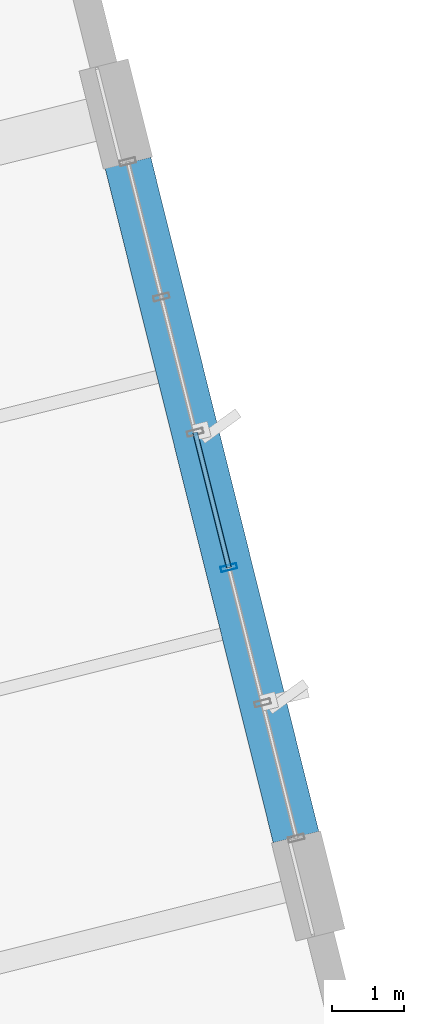
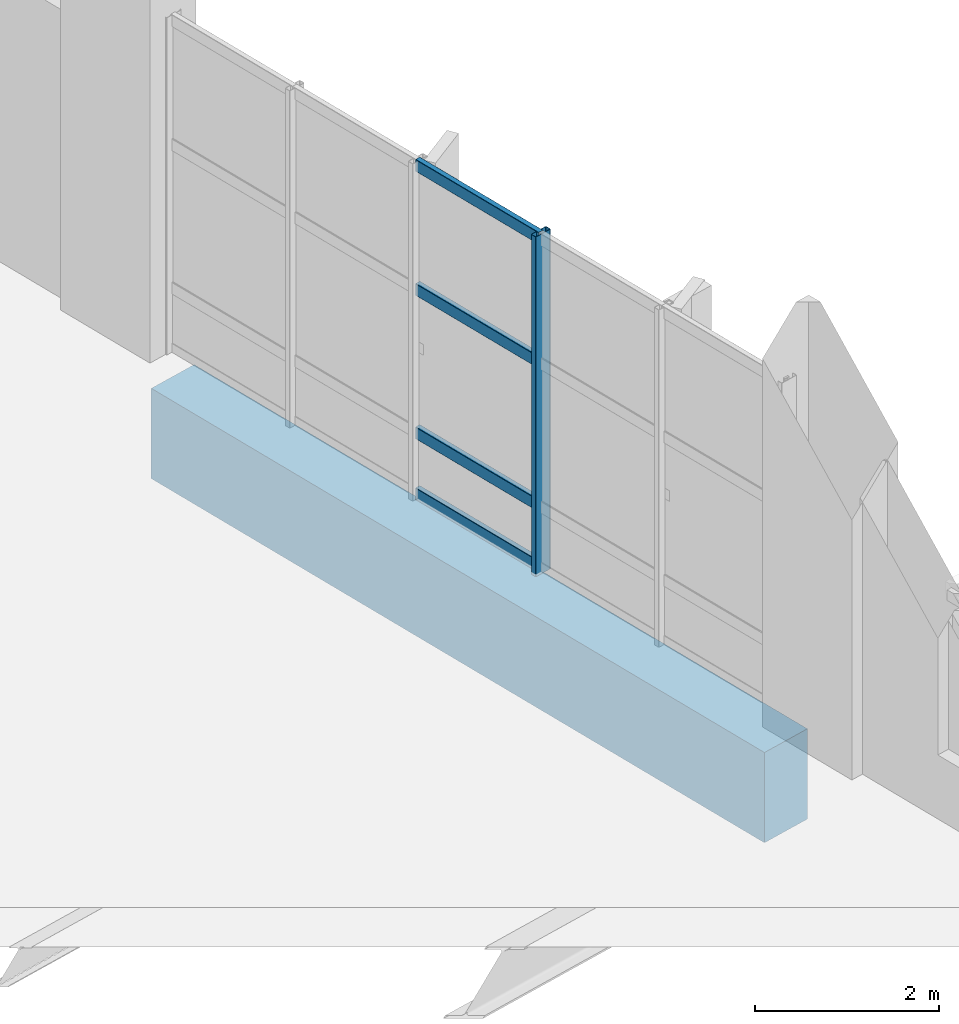
# One storey, part 100 of 176: 5 members, 1 beam, 1 element without a shape of its own.
"""IFC4 building model written with IfcOpenShell, lengths in metres."""

from ifc_helpers import new_model, si_unit, direction, frame, origin, origin_2d, place, context, subcontext, project, spatial, rectangle, hollow_rectangle, extrude, material, layer, layer_set, material_profile, profile_set, type_object, element, aggregate, save


model = new_model("IFC4")

# Units and contexts
model_context = context("Model", 3, precision=1e-05, world=origin(), true_north=direction((0.0, 1.0)))
body_context = subcontext(model_context, "Body", "Model", "MODEL_VIEW")
ifc_project = project(units=[si_unit("LENGTHUNIT", "METRE"), si_unit("AREAUNIT", "SQUARE_METRE"), si_unit("VOLUMEUNIT", "CUBIC_METRE"), si_unit("PLANEANGLEUNIT", "RADIAN"), si_unit("MASSUNIT", "GRAM", prefix="KILO")], contexts=[model_context])

# Site, building, storey
site_placement = place(None, origin())
site = spatial("IfcSite", under=ifc_project, at=site_placement, CompositionType="ELEMENT")
building_placement = place(site_placement, origin())
building = spatial("IfcBuilding", under=site, at=building_placement, Name="Khorjan Park Terminus", CompositionType="ELEMENT")
storey_placement = place(building_placement, frame((0.0, 0.0, 6.0)))
storey = spatial("IfcBuildingStorey", under=building, at=storey_placement, Name="L01", CompositionType="ELEMENT", Elevation=6.0)

# Beam
ifc_material_1 = material(Name="Concrete C40/50", Category="concrete")
ifc_material_profile_1 = material_profile(ifc_material_1, rectangle(XDim=0.65, YDim=1.2, at=origin_2d()), Name="RC 650x1200")
ifc_profile_set_1 = profile_set([ifc_material_profile_1], Name="Concrete C40/50")
beam_type = type_object("IfcBeamType", Name="BM-RC650x1200", PredefinedType="BEAM", material=ifc_profile_set_1)
beam_placement = place(storey_placement, frame((219.2268, 61.3342, -0.95), z_axis=(-0.241923473335, 0.970295332901, 0.0), x_axis=(-0.970295332901, -0.241923473335, 0.0)))
element("IfcBeam", 1, at=beam_placement, inside=storey, type_object=beam_type, Name="Primary skew-grid floor girder GB-12 (L01)", PredefinedType="BEAM", context=body_context, shape_type="SweptSolid", body=[
    extrude(rectangle(XDim=0.65, YDim=1.2, at=origin_2d()), origin(), (0.0, 0.0, 1.0), 9.6101),
])

# Curtain wall, members
ifc_material_2 = material(Name="Anodized Bronze Aluminium", Category="aluminium")
ifc_layer = layer(ifc_material_2, 0.22)
ifc_layer_set = layer_set([ifc_layer], Name="Anodized Bronze Aluminium")
curtain_wall_type = type_object("IfcCurtainWallType", Name="CW-OPS-B", PredefinedType="NOTDEFINED", material=ifc_layer_set)
curtain_wall_placement = place(storey_placement, origin())
curtain_wall = element("IfcCurtainWall", 2, at=curtain_wall_placement, inside=storey, type_object=curtain_wall_type, Name="Unitized curtain wall CW-B (CW-V5-E-L01-B05)", PredefinedType="NOTDEFINED")
ifc_material_profile_2 = material_profile(ifc_material_2, hollow_rectangle(XDim=0.075, YDim=0.225, WallThickness=0.005, InnerFilletRadius=0.005, OuterFilletRadius=0.01, at=origin_2d()), Name="ALM 75x225x5")
ifc_profile_set_2 = profile_set([ifc_material_profile_2], Name="Anodized Bronze Aluminium")
member_type_1 = type_object("IfcMemberType", Name="ML-ALM-225", PredefinedType="MULLION", material=ifc_profile_set_2)
member_1_placement = place(storey_placement, frame((218.2976, 65.0612, -0.035), z_axis=(0.0, 0.0, 1.0), x_axis=(-0.241935125171, 0.970292427678, 0.0)))
member_1 = element("IfcMember", 3, at=member_1_placement, type_object=member_type_1, Name="Curtain-wall mullion ML-22 (CW-V5-E-L01-B05-2)", PredefinedType="MULLION", context=body_context, shape_type="SweptSolid", body=[
    extrude(hollow_rectangle(XDim=0.075, YDim=0.225, WallThickness=0.005, InnerFilletRadius=0.005, OuterFilletRadius=0.01, at=origin_2d()), origin(), (0.0, 0.0, 1.0), 4.515),
])
ifc_material_profile_3 = material_profile(ifc_material_2, hollow_rectangle(XDim=0.07, YDim=0.16, WallThickness=0.004, InnerFilletRadius=0.004, OuterFilletRadius=0.008, at=origin_2d()), Name="ALT 70x160x4")
ifc_profile_set_3 = profile_set([ifc_material_profile_3], Name="Anodized Bronze Aluminium")
member_type_2 = type_object("IfcMemberType", Name="TR-ALT-160", PredefinedType="USERDEFINED", material=ifc_profile_set_3)
member_2_placement = place(storey_placement, frame((218.2976, 65.0612, 0.04), z_axis=(-0.241925332546, 0.970294869342, 0.0), x_axis=(-0.970294869342, -0.241925332546, 0.0)))
member_2 = element("IfcMember", 4, at=member_2_placement, type_object=member_type_2, Name="Curtain-wall transom TR-16 (CW-V5-E-L01-B05-2-1)", ObjectType="TRANSOM", PredefinedType="USERDEFINED", context=body_context, shape_type="SweptSolid", body=[
    extrude(hollow_rectangle(XDim=0.07, YDim=0.16, WallThickness=0.004, InnerFilletRadius=0.004, OuterFilletRadius=0.008, at=origin_2d()), origin(), (0.0, 0.0, 1.0), 1.9279),
])
member_3_placement = place(storey_placement, frame((218.2976, 65.0612, 0.85), z_axis=(-0.241925332546, 0.970294869342, 0.0), x_axis=(-0.970294869342, -0.241925332546, 0.0)))
member_3 = element("IfcMember", 5, at=member_3_placement, type_object=member_type_2, Name="Curtain-wall transom TR-16 (CW-V5-E-L01-B05-2-2)", ObjectType="TRANSOM", PredefinedType="USERDEFINED", context=body_context, shape_type="SweptSolid", body=[
    extrude(hollow_rectangle(XDim=0.07, YDim=0.16, WallThickness=0.004, InnerFilletRadius=0.004, OuterFilletRadius=0.008, at=origin_2d()), origin(), (0.0, 0.0, 1.0), 1.9279),
])
member_4_placement = place(storey_placement, frame((218.2976, 65.0612, 2.7559), z_axis=(-0.241925332546, 0.970294869342, 0.0), x_axis=(-0.970294869342, -0.241925332546, 0.0)))
member_4 = element("IfcMember", 6, at=member_4_placement, type_object=member_type_2, Name="Curtain-wall transom TR-16 (CW-V5-E-L01-B05-2-3)", ObjectType="TRANSOM", PredefinedType="USERDEFINED", context=body_context, shape_type="SweptSolid", body=[
    extrude(hollow_rectangle(XDim=0.07, YDim=0.16, WallThickness=0.004, InnerFilletRadius=0.004, OuterFilletRadius=0.008, at=origin_2d()), origin(), (0.0, 0.0, 1.0), 1.9279),
])
member_5_placement = place(storey_placement, frame((218.2976, 65.0612, 4.405), z_axis=(-0.241925332546, 0.970294869342, 0.0), x_axis=(-0.970294869342, -0.241925332546, 0.0)))
member_5 = element("IfcMember", 7, at=member_5_placement, type_object=member_type_2, Name="Curtain-wall transom TR-16 (CW-V5-E-L01-B05-2-4)", ObjectType="TRANSOM", PredefinedType="USERDEFINED", context=body_context, shape_type="SweptSolid", body=[
    extrude(hollow_rectangle(XDim=0.07, YDim=0.16, WallThickness=0.004, InnerFilletRadius=0.004, OuterFilletRadius=0.008, at=origin_2d()), origin(), (0.0, 0.0, 1.0), 1.9279),
])
aggregate(curtain_wall, [member_1, member_2, member_3, member_4, member_5])

save(model, "model.ifc")
